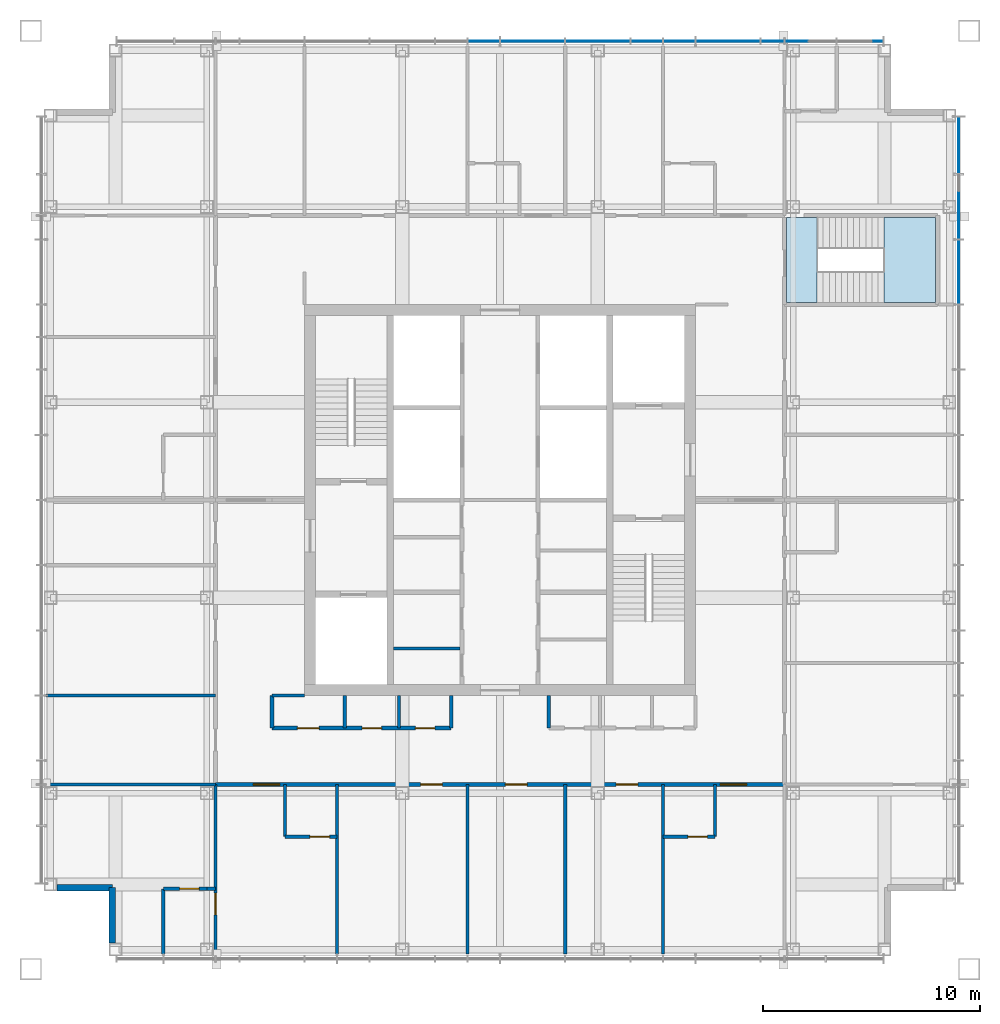
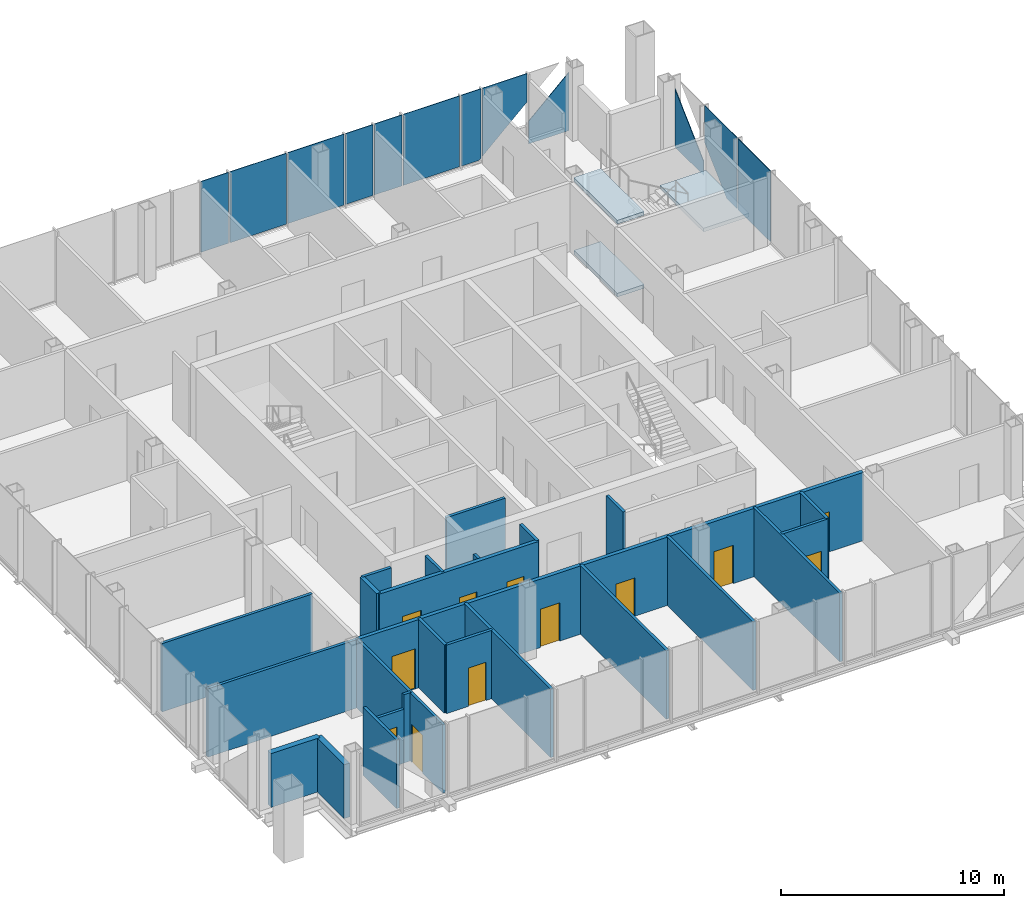
# One storey, part 7 of 11: 25 walls, 12 doors, 12 plates, 3 slabs, 12 openings, 3 elements without a shape of their own.
"""IFC4 building model written with IfcOpenShell, lengths in metres."""

from ifc_helpers import new_model, si_unit, direction, frame, frame_2d, origin, origin_2d, place, context, subcontext, project, spatial, polyline, rectangle, outline, extrude, material, layer, layer_set, type_object, element, fill, aggregate, save


model = new_model("IFC4")

# Units and contexts
model_context = context("Model", 3, precision=1e-05, world=origin(), true_north=direction((0.0, 1.0)))
body_context = subcontext(model_context, "Body", "Model", "MODEL_VIEW")
ifc_project = project(units=[si_unit("LENGTHUNIT", "METRE"), si_unit("AREAUNIT", "SQUARE_METRE"), si_unit("VOLUMEUNIT", "CUBIC_METRE"), si_unit("PLANEANGLEUNIT", "RADIAN"), si_unit("MASSUNIT", "GRAM", prefix="KILO")], contexts=[model_context])

# Site, building, storey
site_placement = place(None, origin())
site = spatial("IfcSite", under=ifc_project, at=site_placement, CompositionType="ELEMENT")
building_placement = place(site_placement, origin())
building = spatial("IfcBuilding", under=site, at=building_placement, Name="Malebo Sky Hospital", CompositionType="ELEMENT")
storey_placement = place(building_placement, frame((0.0, 0.0, 282.0)))
storey = spatial("IfcBuildingStorey", under=building, at=storey_placement, Name="L68", CompositionType="ELEMENT", Elevation=282.0)

# Stair, slabs
ifc_material_1 = material(Name="Concrete C40/50", Category="concrete")
stair_type = type_object("IfcStairType", Name="HALF-TURN STAIR 1400 R167", PredefinedType="HALF_TURN_STAIR", material=ifc_material_1)
stair_placement = place(storey_placement, origin())
stair = element("IfcStair", 1, at=stair_placement, inside=storey, type_object=stair_type, Name="Stair S3 L68 type ST1B", PredefinedType="HALF_TURN_STAIR")
ifc_layer_1 = layer(ifc_material_1, 0.199951171875)
ifc_layer_set_1 = layer_set([ifc_layer_1], Name="STAIR LANDING 200")
slab_type = type_object("IfcSlabType", Name="STAIR LANDING 200", PredefinedType="LANDING", material=ifc_layer_set_1)
slab_1_placement = place(storey_placement, frame((0.0, 0.0, -0.199951171875)))
slab_1 = element("IfcSlab", 2, at=slab_1_placement, type_object=slab_type, Name="S3 landing 1", PredefinedType="LANDING", context=body_context, shape_type="SweptSolid", body=[
    extrude(outline(polyline([(73.199951171875, 71.10009765625), (73.199951171875, 75.0), (74.60009765625, 75.0), (74.60009765625, 71.10009765625), (73.199951171875, 71.10009765625)])), origin(), (0.0, 0.0, 1.0), 0.199951171875),
])
slab_2_placement = place(storey_placement, frame((0.0, 0.0, 1.800048828125)))
slab_2 = element("IfcSlab", 3, at=slab_2_placement, type_object=slab_type, Name="S3 landing 2", PredefinedType="LANDING", context=body_context, shape_type="SweptSolid", body=[
    extrude(outline(polyline([(77.679931640625, 71.10009765625), (77.679931640625, 75.0), (80.050048828125, 75.0), (80.050048828125, 71.10009765625), (77.679931640625, 71.10009765625)])), origin(), (0.0, 0.0, 1.0), 0.199951171875),
])
slab_3_placement = place(storey_placement, frame((0.0, 0.0, 3.800048828125)))
slab_3 = element("IfcSlab", 4, at=slab_3_placement, type_object=slab_type, Name="S3 landing 3", PredefinedType="LANDING", context=body_context, shape_type="SweptSolid", body=[
    extrude(outline(polyline([(73.199951171875, 71.10009765625), (73.199951171875, 75.0), (74.60009765625, 75.0), (74.60009765625, 71.10009765625), (73.199951171875, 71.10009765625)])), origin(), (0.0, 0.0, 1.0), 0.199951171875),
])
aggregate(stair, [slab_1, slab_2, slab_3])

# Curtain wall, plates
ifc_material_2 = material(Name="Anodised aluminium, natural silver", Category="aluminium")
ifc_layer_2 = layer(ifc_material_2, 0.25)
ifc_layer_set_2 = layer_set([ifc_layer_2], Name="WARD CURTAIN WALL NORTH AND SOUTH")
curtain_wall_type_1 = type_object("IfcCurtainWallType", Name="WARD CURTAIN WALL NORTH AND SOUTH", PredefinedType="NOTDEFINED", material=ifc_layer_set_2)
curtain_wall_1_placement = place(storey_placement, origin())
curtain_wall_1 = element("IfcCurtainWall", 5, at=curtain_wall_1_placement, inside=storey, type_object=curtain_wall_type_1, Name="NS curtain wall N", PredefinedType="NOTDEFINED")
ifc_material_3 = material(Name="Clear low-iron double glazing", Category="glass")
ifc_layer_3 = layer(ifc_material_3, 0.031982421875)
ifc_layer_set_3 = layer_set([ifc_layer_3], Name="VISION PANEL CLEAR 32")
plate_type = type_object("IfcPlateType", Name="VISION PANEL CLEAR 32", PredefinedType="CURTAIN_PANEL", material=ifc_layer_set_3)
plate_1_placement = place(storey_placement, frame((59.25, 83.125, 0.10009765625), z_axis=(0.0, 0.0, 1.0), x_axis=(1.0, 0.0, 0.0)))
plate_1 = element("IfcPlate", 6, at=plate_1_placement, type_object=plate_type, Name="Panel 8", PredefinedType="CURTAIN_PANEL", context=body_context, shape_type="SweptSolid", body=[
    extrude(rectangle(XDim=1.425048828125, YDim=0.031982421875, at=origin_2d()), origin(), (0.0, 0.0, 1.0), 3.889892578125),
])
plate_2_placement = place(storey_placement, frame((61.5, 83.125, 0.10009765625), z_axis=(0.0, 0.0, 1.0), x_axis=(1.0, 0.0, 0.0)))
plate_2 = element("IfcPlate", 7, at=plate_2_placement, type_object=plate_type, Name="Panel 9", PredefinedType="CURTAIN_PANEL", context=body_context, shape_type="SweptSolid", body=[
    extrude(rectangle(XDim=2.925048828125, YDim=0.031982421875, at=origin_2d()), origin(), (0.0, 0.0, 1.0), 3.889892578125),
])
plate_3_placement = place(storey_placement, frame((64.5, 83.125, 0.10009765625), z_axis=(0.0, 0.0, 1.0), x_axis=(1.0, 0.0, 0.0)))
plate_3 = element("IfcPlate", 8, at=plate_3_placement, type_object=plate_type, Name="Panel 10", PredefinedType="CURTAIN_PANEL", context=body_context, shape_type="SweptSolid", body=[
    extrude(rectangle(XDim=2.925048828125, YDim=0.031982421875, at=origin_2d()), origin(), (0.0, 0.0, 1.0), 3.889892578125),
])
plate_4_placement = place(storey_placement, frame((66.75, 83.125, 0.10009765625), z_axis=(0.0, 0.0, 1.0), x_axis=(1.0, 0.0, 0.0)))
plate_4 = element("IfcPlate", 9, at=plate_4_placement, type_object=plate_type, Name="Panel 11", PredefinedType="CURTAIN_PANEL", context=body_context, shape_type="SweptSolid", body=[
    extrude(rectangle(XDim=1.425048828125, YDim=0.031982421875, at=origin_2d()), origin(), (0.0, 0.0, 1.0), 3.889892578125),
])
plate_5_placement = place(storey_placement, frame((68.25, 83.125, 0.10009765625), z_axis=(0.0, 0.0, 1.0), x_axis=(1.0, 0.0, 0.0)))
plate_5 = element("IfcPlate", 10, at=plate_5_placement, type_object=plate_type, Name="Panel 12", PredefinedType="CURTAIN_PANEL", context=body_context, shape_type="SweptSolid", body=[
    extrude(rectangle(XDim=1.425048828125, YDim=0.031982421875, at=origin_2d()), origin(), (0.0, 0.0, 1.0), 3.889892578125),
])
plate_6_placement = place(storey_placement, frame((70.5, 83.125, 0.10009765625), z_axis=(0.0, 0.0, 1.0), x_axis=(1.0, 0.0, 0.0)))
plate_6 = element("IfcPlate", 11, at=plate_6_placement, type_object=plate_type, Name="Panel 13", PredefinedType="CURTAIN_PANEL", context=body_context, shape_type="SweptSolid", body=[
    extrude(rectangle(XDim=2.925048828125, YDim=0.031982421875, at=origin_2d()), origin(), (0.0, 0.0, 1.0), 3.889892578125),
])
plate_7_placement = place(storey_placement, frame((72.550048828125, 83.125, 0.10009765625), z_axis=(0.0, 0.0, 1.0), x_axis=(1.0, 0.0, 0.0)))
plate_7 = element("IfcPlate", 12, at=plate_7_placement, type_object=plate_type, Name="Panel 14", PredefinedType="CURTAIN_PANEL", context=body_context, shape_type="SweptSolid", body=[
    extrude(outline(polyline([(-0.512451171875, 0.0), (0.41748046875, 0.0), (0.512451171875, 0.0888671875), (0.512451171875, 3.889892578125), (-0.512451171875, 3.889892578125), (-0.512451171875, 0.0)])), frame((0.0, 0.01611328125, 0.0), z_axis=(0.0, -1.0, 0.0), x_axis=(1.0, 0.0, 0.0)), (0.0, 0.0, 1.0), 0.031982421875),
])
plate_8_placement = place(storey_placement, frame((74.300048828125, 83.125, 0.259033203125), z_axis=(0.0, 0.0, 1.0), x_axis=(1.0, 0.0, 0.0)))
plate_8 = element("IfcPlate", 13, at=plate_8_placement, type_object=plate_type, Name="Panel 15", PredefinedType="CURTAIN_PANEL", context=body_context, shape_type="SweptSolid", body=[
    extrude(outline(polyline([(-1.16259765625, 0.0), (1.16259765625, 2.177001953125), (1.16259765625, 3.73095703125), (-1.16259765625, 3.73095703125), (-1.16259765625, 0.0)])), frame((0.0, 0.01611328125, 0.0), z_axis=(0.0, -1.0, 0.0), x_axis=(1.0, 0.0, 0.0)), (0.0, 0.0, 1.0), 0.031982421875),
])
plate_9_placement = place(storey_placement, frame((76.581298828125, 83.125, 0.10009765625), z_axis=(0.0, 0.0, 1.0), x_axis=(1.0, 0.0, 0.0)))
plate_9 = element("IfcPlate", 14, at=plate_9_placement, type_object=plate_type, Name="Panel 16", PredefinedType="CURTAIN_PANEL", context=body_context, shape_type="SweptSolid", body=[
    extrude(outline(polyline([(-1.043701171875, 0.0), (1.043701171875, 0.0), (1.043701171875, 3.195068359375), (-1.043701171875, 1.240478515625), (-1.043701171875, 0.0)])), frame((0.0, 0.01611328125, 0.0), z_axis=(0.0, -1.0, 0.0), x_axis=(1.0, 0.0, 0.0)), (0.0, 0.0, 1.0), 0.031982421875),
])
aggregate(curtain_wall_1, [plate_1, plate_2, plate_3, plate_4, plate_5, plate_6, plate_7, plate_8, plate_9])

ifc_layer_4 = layer(ifc_material_2, 0.25)
ifc_layer_set_4 = layer_set([ifc_layer_4], Name="WARD CURTAIN WALL EAST AND WEST")
curtain_wall_type_2 = type_object("IfcCurtainWallType", Name="WARD CURTAIN WALL EAST AND WEST", PredefinedType="NOTDEFINED", material=ifc_layer_set_4)
curtain_wall_2_placement = place(storey_placement, origin())
curtain_wall_2 = element("IfcCurtainWall", 15, at=curtain_wall_2_placement, inside=storey, type_object=curtain_wall_type_2, Name="EW curtain wall E", PredefinedType="NOTDEFINED")
plate_10_placement = place(storey_placement, frame((81.125, 78.331298828125, 0.10009765625), z_axis=(0.0, 0.0, 1.0), x_axis=(0.0, -1.0, 0.0)))
plate_10 = element("IfcPlate", 16, at=plate_10_placement, type_object=plate_type, Name="Panel 1", PredefinedType="CURTAIN_PANEL", context=body_context, shape_type="SweptSolid", body=[
    extrude(outline(polyline([(-1.293701171875, 0.0), (1.293701171875, 0.0), (1.293701171875, 0.772216796875), (-1.293701171875, 3.195068359375), (-1.293701171875, 0.0)])), frame((0.0, 0.01611328125, 0.0), z_axis=(0.0, -1.0, 0.0), x_axis=(1.0, 0.0, 0.0)), (0.0, 0.0, 1.0), 0.031982421875),
])
plate_11_placement = place(storey_placement, frame((81.125, 75.5, 0.10009765625), z_axis=(0.0, 0.0, 1.0), x_axis=(0.0, -1.0, 0.0)))
plate_11 = element("IfcPlate", 17, at=plate_11_placement, type_object=plate_type, Name="Panel 2", PredefinedType="CURTAIN_PANEL", context=body_context, shape_type="SweptSolid", body=[
    extrude(outline(polyline([(0.532470703125, 0.0), (1.46240234375, 0.0), (1.46240234375, 3.889892578125), (-1.46240234375, 3.889892578125), (-1.46240234375, 1.867919921875), (0.532470703125, 0.0)])), frame((0.0, 0.01611328125, 0.0), z_axis=(0.0, -1.0, 0.0), x_axis=(1.0, 0.0, 0.0)), (0.0, 0.0, 1.0), 0.031982421875),
])
plate_12_placement = place(storey_placement, frame((81.125, 72.5, 0.10009765625), z_axis=(0.0, 0.0, 1.0), x_axis=(0.0, -1.0, 0.0)))
plate_12 = element("IfcPlate", 18, at=plate_12_placement, type_object=plate_type, Name="Panel 3", PredefinedType="CURTAIN_PANEL", context=body_context, shape_type="SweptSolid", body=[
    extrude(rectangle(XDim=2.925048828125, YDim=0.031982421875, at=origin_2d()), origin(), (0.0, 0.0, 1.0), 3.889892578125),
])
aggregate(curtain_wall_2, [plate_10, plate_11, plate_12])

# Wall
ifc_material_4 = material(Name="Gypsum board on steel studs", Category="steel")
ifc_layer_5 = layer(ifc_material_4, 0.199951171875)
ifc_layer_set_5 = layer_set([ifc_layer_5], Name="CORRIDOR WALL 200")
wall_type_1 = type_object("IfcWallType", Name="CORRIDOR WALL 200", PredefinedType="PARTITIONING", material=ifc_layer_set_5)
wall_1_placement = place(storey_placement, frame((49.5, 51.5, 0.0), z_axis=(0.0, 0.0, 1.0), x_axis=(0.0, 1.0, 0.0)))
element("IfcWall", 19, at=wall_1_placement, inside=storey, type_object=wall_type_1, Name="Corridor Wall 200 WCIK", PredefinedType="PARTITIONING", context=body_context, shape_type="SweptSolid", body=[
    extrude(rectangle(XDim=1.5, YDim=0.199951171875, at=frame_2d((0.75, 0.0))), origin(), (0.0, 0.0, 1.0), 3.75),
])

# Wall, openings, doors
wall_2_placement = place(storey_placement, frame((73.10009765625, 48.89990234375, 0.0), z_axis=(0.0, 0.0, 1.0), x_axis=(-1.0, 0.0, 0.0)))
wall_2 = element("IfcWall", 20, at=wall_2_placement, inside=storey, type_object=wall_type_1, Name="Corridor Wall 200 SCO", PredefinedType="PARTITIONING", context=body_context, shape_type="SweptSolid", body=[
    extrude(rectangle(XDim=26.2001953125, YDim=0.199951171875, at=frame_2d((13.10009765625, 0.0))), origin(), (0.0, 0.0, 1.0), 3.75),
])
opening_1_placement = place(wall_2_placement, frame((1.75, 0.0, 0.0)))
opening_1 = element("IfcOpeningElement", 21, at=opening_1_placement, cuts=wall_2, Name="Opening D01", PredefinedType="OPENING", context=body_context, shape_type="SweptSolid", body=[
    extrude(rectangle(XDim=1.199951171875, YDim=2.199951171875, at=frame_2d((0.60009765625, 1.10009765625))), frame((0.0, 0.10986328125, 0.0), z_axis=(0.0, -1.0, 0.0), x_axis=(1.0, 0.0, 0.0)), (0.0, 0.0, 1.0), 0.219970703125),
])
opening_2_placement = place(wall_2_placement, frame((6.75, 0.0, 0.0)))
opening_2 = element("IfcOpeningElement", 22, at=opening_2_placement, cuts=wall_2, Name="Opening D03", PredefinedType="OPENING", context=body_context, shape_type="SweptSolid", body=[
    extrude(rectangle(XDim=1.0, YDim=2.10009765625, at=frame_2d((0.5, 1.050048828125))), frame((0.0, 0.10986328125, 0.0), z_axis=(0.0, -1.0, 0.0), x_axis=(1.0, 0.0, 0.0)), (0.0, 0.0, 1.0), 0.219970703125),
])
opening_3_placement = place(wall_2_placement, frame((11.85009765625, 0.0, 0.0)))
opening_3 = element("IfcOpeningElement", 23, at=opening_3_placement, cuts=wall_2, Name="Opening D03", PredefinedType="OPENING", context=body_context, shape_type="SweptSolid", body=[
    extrude(rectangle(XDim=1.0, YDim=2.10009765625, at=frame_2d((0.5, 1.050048828125))), frame((0.0, 0.10986328125, 0.0), z_axis=(0.0, -1.0, 0.0), x_axis=(1.0, 0.0, 0.0)), (0.0, 0.0, 1.0), 0.219970703125),
])
opening_4_placement = place(wall_2_placement, frame((15.75, 0.0, 0.0)))
opening_4 = element("IfcOpeningElement", 24, at=opening_4_placement, cuts=wall_2, Name="Opening D03", PredefinedType="OPENING", context=body_context, shape_type="SweptSolid", body=[
    extrude(rectangle(XDim=1.0, YDim=2.10009765625, at=frame_2d((0.5, 1.050048828125))), frame((0.0, 0.10986328125, 0.0), z_axis=(0.0, -1.0, 0.0), x_axis=(1.0, 0.0, 0.0)), (0.0, 0.0, 1.0), 0.219970703125),
])
opening_5_placement = place(wall_2_placement, frame((23.25, 0.0, 0.0)))
opening_5 = element("IfcOpeningElement", 25, at=opening_5_placement, cuts=wall_2, Name="Opening D01", PredefinedType="OPENING", context=body_context, shape_type="SweptSolid", body=[
    extrude(rectangle(XDim=1.199951171875, YDim=2.199951171875, at=frame_2d((0.60009765625, 1.10009765625))), frame((0.0, 0.10986328125, 0.0), z_axis=(0.0, -1.0, 0.0), x_axis=(1.0, 0.0, 0.0)), (0.0, 0.0, 1.0), 0.219970703125),
])
ifc_material_5 = material(Name="Hardwood-faced door leaf in steel frame", Category="steel")
door_type_1 = type_object("IfcDoorType", Name="BED DOOR 1200", OperationType="SINGLE_SWING_LEFT", PredefinedType="DOOR", material=ifc_material_5)
door_1_placement = place(opening_1_placement, origin())
door_1 = element("IfcDoor", 26, at=door_1_placement, inside=storey, type_object=door_type_1, Name="Single bed room door", OperationType="SINGLE_SWING_RIGHT", OverallHeight=2.199951171875, OverallWidth=1.199951171875, PredefinedType="DOOR", context=body_context, shape_type="SweptSolid", body=[
    extrude(rectangle(XDim=1.199951171875, YDim=2.199951171875, at=frame_2d((0.60009765625, 1.10009765625))), frame((0.0, 0.02490234375, 0.0), z_axis=(0.0, -1.0, 0.0), x_axis=(1.0, 0.0, 0.0)), (0.0, 0.0, 1.0), 0.050048828125),
])
fill(opening_1, door_1)
door_2_placement = place(opening_5_placement, origin())
door_2 = element("IfcDoor", 27, at=door_2_placement, inside=storey, type_object=door_type_1, Name="Family suite door", OperationType="SINGLE_SWING_LEFT", OverallHeight=2.199951171875, OverallWidth=1.199951171875, PredefinedType="DOOR", context=body_context, shape_type="SweptSolid", body=[
    extrude(rectangle(XDim=1.199951171875, YDim=2.199951171875, at=frame_2d((0.60009765625, 1.10009765625))), frame((0.0, 0.02490234375, 0.0), z_axis=(0.0, -1.0, 0.0), x_axis=(1.0, 0.0, 0.0)), (0.0, 0.0, 1.0), 0.050048828125),
])
fill(opening_5, door_2)
door_type_2 = type_object("IfcDoorType", Name="ROOM DOOR 1000", OperationType="SINGLE_SWING_LEFT", PredefinedType="DOOR", material=ifc_material_5)
door_3_placement = place(opening_2_placement, origin())
door_3 = element("IfcDoor", 28, at=door_3_placement, inside=storey, type_object=door_type_2, Name="Treatment room door", OperationType="SINGLE_SWING_LEFT", OverallHeight=2.10009765625, OverallWidth=1.0, PredefinedType="DOOR", context=body_context, shape_type="SweptSolid", body=[
    extrude(rectangle(XDim=1.0, YDim=2.10009765625, at=frame_2d((0.5, 1.050048828125))), frame((0.0, 0.02490234375, 0.0), z_axis=(0.0, -1.0, 0.0), x_axis=(1.0, 0.0, 0.0)), (0.0, 0.0, 1.0), 0.050048828125),
])
fill(opening_2, door_3)
door_4_placement = place(opening_3_placement, origin())
door_4 = element("IfcDoor", 29, at=door_4_placement, inside=storey, type_object=door_type_2, Name="Ward pantry door", OperationType="SINGLE_SWING_LEFT", OverallHeight=2.10009765625, OverallWidth=1.0, PredefinedType="DOOR", context=body_context, shape_type="SweptSolid", body=[
    extrude(rectangle(XDim=1.0, YDim=2.10009765625, at=frame_2d((0.5, 1.050048828125))), frame((0.0, 0.02490234375, 0.0), z_axis=(0.0, -1.0, 0.0), x_axis=(1.0, 0.0, 0.0)), (0.0, 0.0, 1.0), 0.050048828125),
])
fill(opening_3, door_4)
door_5_placement = place(opening_4_placement, origin())
door_5 = element("IfcDoor", 30, at=door_5_placement, inside=storey, type_object=door_type_2, Name="Dirty utility room door", OperationType="SINGLE_SWING_LEFT", OverallHeight=2.10009765625, OverallWidth=1.0, PredefinedType="DOOR", context=body_context, shape_type="SweptSolid", body=[
    extrude(rectangle(XDim=1.0, YDim=2.10009765625, at=frame_2d((0.5, 1.050048828125))), frame((0.0, 0.02490234375, 0.0), z_axis=(0.0, -1.0, 0.0), x_axis=(1.0, 0.0, 0.0)), (0.0, 0.0, 1.0), 0.050048828125),
])
fill(opening_4, door_5)

wall_3_placement = place(storey_placement, frame((57.75, 51.5, 0.0), z_axis=(0.0, 0.0, 1.0), x_axis=(-1.0, 0.0, 0.0)))
wall_3 = element("IfcWall", 31, at=wall_3_placement, inside=storey, type_object=wall_type_1, Name="Corridor Wall 200 SCI2", PredefinedType="PARTITIONING", context=body_context, shape_type="SweptSolid", body=[
    extrude(rectangle(XDim=8.25, YDim=0.199951171875, at=frame_2d((4.125, 0.0))), origin(), (0.0, 0.0, 1.0), 3.75),
])
opening_6_placement = place(wall_3_placement, frame((0.75, 0.0, 0.0)))
opening_6 = element("IfcOpeningElement", 32, at=opening_6_placement, cuts=wall_3, Name="Opening D04", PredefinedType="OPENING", context=body_context, shape_type="SweptSolid", body=[
    extrude(rectangle(XDim=0.89990234375, YDim=2.10009765625, at=frame_2d((0.449951171875, 1.050048828125))), frame((0.0, 0.10986328125, 0.0), z_axis=(0.0, -1.0, 0.0), x_axis=(1.0, 0.0, 0.0)), (0.0, 0.0, 1.0), 0.219970703125),
])
opening_7_placement = place(wall_3_placement, frame((3.199951171875, 0.0, 0.0)))
opening_7 = element("IfcOpeningElement", 33, at=opening_7_placement, cuts=wall_3, Name="Opening D04", PredefinedType="OPENING", context=body_context, shape_type="SweptSolid", body=[
    extrude(rectangle(XDim=0.89990234375, YDim=2.10009765625, at=frame_2d((0.449951171875, 1.050048828125))), frame((0.0, 0.10986328125, 0.0), z_axis=(0.0, -1.0, 0.0), x_axis=(1.0, 0.0, 0.0)), (0.0, 0.0, 1.0), 0.219970703125),
])
opening_8_placement = place(wall_3_placement, frame((6.074951171875, 0.0, 0.0)))
opening_8 = element("IfcOpeningElement", 34, at=opening_8_placement, cuts=wall_3, Name="Opening D03", PredefinedType="OPENING", context=body_context, shape_type="SweptSolid", body=[
    extrude(rectangle(XDim=1.0, YDim=2.10009765625, at=frame_2d((0.5, 1.050048828125))), frame((0.0, 0.10986328125, 0.0), z_axis=(0.0, -1.0, 0.0), x_axis=(1.0, 0.0, 0.0)), (0.0, 0.0, 1.0), 0.219970703125),
])
door_6_placement = place(opening_8_placement, origin())
door_6 = element("IfcDoor", 35, at=door_6_placement, inside=storey, type_object=door_type_2, Name="Supplies store door", OperationType="SINGLE_SWING_RIGHT", OverallHeight=2.10009765625, OverallWidth=1.0, PredefinedType="DOOR", context=body_context, shape_type="SweptSolid", body=[
    extrude(rectangle(XDim=1.0, YDim=2.10009765625, at=frame_2d((0.5, 1.050048828125))), frame((0.0, 0.02490234375, 0.0), z_axis=(0.0, -1.0, 0.0), x_axis=(1.0, 0.0, 0.0)), (0.0, 0.0, 1.0), 0.050048828125),
])
fill(opening_8, door_6)
door_type_3 = type_object("IfcDoorType", Name="ROOM DOOR 900", OperationType="SINGLE_SWING_LEFT", PredefinedType="DOOR", material=ifc_material_5)
door_7_placement = place(opening_6_placement, origin())
door_7 = element("IfcDoor", 36, at=door_7_placement, inside=storey, type_object=door_type_3, Name="Communications room door", OperationType="SINGLE_SWING_LEFT", OverallHeight=2.10009765625, OverallWidth=0.89990234375, PredefinedType="DOOR", context=body_context, shape_type="SweptSolid", body=[
    extrude(rectangle(XDim=0.89990234375, YDim=2.10009765625, at=frame_2d((0.449951171875, 1.050048828125))), frame((0.0, 0.02490234375, 0.0), z_axis=(0.0, -1.0, 0.0), x_axis=(1.0, 0.0, 0.0)), (0.0, 0.0, 1.0), 0.050048828125),
])
fill(opening_6, door_7)
door_8_placement = place(opening_7_placement, origin())
door_8 = element("IfcDoor", 37, at=door_8_placement, inside=storey, type_object=door_type_3, Name="Equipment store door", OperationType="SINGLE_SWING_LEFT", OverallHeight=2.10009765625, OverallWidth=0.89990234375, PredefinedType="DOOR", context=body_context, shape_type="SweptSolid", body=[
    extrude(rectangle(XDim=0.89990234375, YDim=2.10009765625, at=frame_2d((0.449951171875, 1.050048828125))), frame((0.0, 0.02490234375, 0.0), z_axis=(0.0, -1.0, 0.0), x_axis=(1.0, 0.0, 0.0)), (0.0, 0.0, 1.0), 0.050048828125),
])
fill(opening_7, door_8)

# Walls
ifc_material_6 = material(Name="Anodised aluminium rainscreen on steel framing", Category="steel")
ifc_layer_6 = layer(ifc_material_6, 0.300048828125)
ifc_layer_set_6 = layer_set([ifc_layer_6], Name="NOTCH RAINSCREEN WALL 300")
wall_type_2 = type_object("IfcWallType", Name="NOTCH RAINSCREEN WALL 300", PredefinedType="ELEMENTEDWALL", material=ifc_layer_set_6)
for number, where, z_axis, x_axis, name in (
    (38, (42.14990234375, 41.60009765625, 0.0), (0.0, 0.0, 1.0), (0.0, 1.0, 0.0), "Notch rainscreen wall S1 L68"),
    (39, (42.14990234375, 44.14990234375, 0.0), (0.0, 0.0, 1.0), (-1.0, 0.0, 0.0), "Notch rainscreen wall S2 L68"),
):
    element("IfcWall", number, at=place(storey_placement, frame(where, z_axis=z_axis, x_axis=x_axis)), inside=storey, type_object=wall_type_2, Name=name, PredefinedType="ELEMENTEDWALL", context=body_context, shape_type="SweptSolid", body=[
        extrude(rectangle(XDim=2.5498046875, YDim=0.300048828125, at=frame_2d((1.27490234375, 0.0))), origin(), (0.0, 0.0, 1.0), 2.949951171875),
    ])
ifc_layer_7 = layer(ifc_material_4, 0.14990234375)
ifc_layer_set_7 = layer_set([ifc_layer_7], Name="PARTITION 150")
wall_type_3 = type_object("IfcWallType", Name="PARTITION 150", PredefinedType="PARTITIONING", material=ifc_layer_set_7)
for number, where, z_axis, x_axis, name in (
    (40, (46.89990234375, 53.0, 0.0), (0.0, 0.0, 1.0), (-1.0, 0.0, 0.0), "Partition 150 WP-9.0"),
    (41, (46.89990234375, 48.89990234375, 0.0), (0.0, 0.0, 1.0), (-1.0, 0.0, 0.0), "Partition 150 WP0"),
):
    element("IfcWall", number, at=place(storey_placement, frame(where, z_axis=z_axis, x_axis=x_axis)), inside=storey, type_object=wall_type_3, Name=name, PredefinedType="PARTITIONING", context=body_context, shape_type="SweptSolid", body=[
        extrude(rectangle(XDim=7.7998046875, YDim=0.14990234375, at=frame_2d((3.89990234375, 0.0))), origin(), (0.0, 0.0, 1.0), 3.75),
    ])
wall_4_placement = place(storey_placement, frame((51.0, 53.0, 0.0), z_axis=(0.0, 0.0, 1.0), x_axis=(-1.0, 0.0, 0.0)))
element("IfcWall", 42, at=wall_4_placement, inside=storey, type_object=wall_type_3, Name="Partition 150 WSP0", PredefinedType="PARTITIONING", context=body_context, shape_type="SweptSolid", body=[
    extrude(rectangle(XDim=1.5, YDim=0.14990234375, at=frame_2d((0.75, 0.0))), origin(), (0.0, 0.0, 1.0), 3.75),
])
for number, where, z_axis, x_axis, name in (
    (43, (67.5, 48.89990234375, 0.0), (0.0, 0.0, 1.0), (0.0, -1.0, 0.0), "Partition 150 SP-7.5"),
    (44, (63.0, 48.89990234375, 0.0), (0.0, 0.0, 1.0), (0.0, -1.0, 0.0), "Partition 150 SP-3.0"),
    (45, (58.5, 48.89990234375, 0.0), (0.0, 0.0, 1.0), (0.0, -1.0, 0.0), "Partition 150 SP+1.5"),
    (46, (52.5, 48.89990234375, 0.0), (0.0, 0.0, 1.0), (0.0, -1.0, 0.0), "Partition 150 SP+7.5"),
):
    element("IfcWall", number, at=place(storey_placement, frame(where, z_axis=z_axis, x_axis=x_axis)), inside=storey, type_object=wall_type_3, Name=name, PredefinedType="PARTITIONING", context=body_context, shape_type="SweptSolid", body=[
        extrude(rectangle(XDim=7.7998046875, YDim=0.14990234375, at=frame_2d((3.89990234375, 0.0))), origin(), (0.0, 0.0, 1.0), 3.75),
    ])

# Wall, opening, door
wall_5_placement = place(storey_placement, frame((69.89990234375, 46.5, 0.0), z_axis=(0.0, 0.0, 1.0), x_axis=(-1.0, 0.0, 0.0)))
wall_5 = element("IfcWall", 47, at=wall_5_placement, inside=storey, type_object=wall_type_3, Name="Partition 150 SE0F", PredefinedType="PARTITIONING", context=body_context, shape_type="SweptSolid", body=[
    extrude(rectangle(XDim=2.39990234375, YDim=0.14990234375, at=frame_2d((1.199951171875, 0.0))), origin(), (0.0, 0.0, 1.0), 3.75),
])
opening_9_placement = place(wall_5_placement, frame((0.35009765625, 0.0, 0.0)))
opening_9 = element("IfcOpeningElement", 48, at=opening_9_placement, cuts=wall_5, Name="Opening D02", PredefinedType="OPENING", context=body_context, shape_type="SweptSolid", body=[
    extrude(rectangle(XDim=0.89990234375, YDim=2.10009765625, at=frame_2d((0.449951171875, 1.050048828125))), frame((0.0, 0.0849609375, 0.0), z_axis=(0.0, -1.0, 0.0), x_axis=(1.0, 0.0, 0.0)), (0.0, 0.0, 1.0), 0.169921875),
])
door_type_4 = type_object("IfcDoorType", Name="EN-SUITE DOOR 900", OperationType="SINGLE_SWING_LEFT", PredefinedType="DOOR", material=ifc_material_5)
door_9_placement = place(opening_9_placement, origin())
door_9 = element("IfcDoor", 49, at=door_9_placement, inside=storey, type_object=door_type_4, Name="En-suite door", OperationType="SINGLE_SWING_LEFT", OverallHeight=2.10009765625, OverallWidth=0.89990234375, PredefinedType="DOOR", context=body_context, shape_type="SweptSolid", body=[
    extrude(rectangle(XDim=0.89990234375, YDim=2.10009765625, at=frame_2d((0.449951171875, 1.050048828125))), frame((0.0, 0.02490234375, 0.0), z_axis=(0.0, -1.0, 0.0), x_axis=(1.0, 0.0, 0.0)), (0.0, 0.0, 1.0), 0.050048828125),
])
fill(opening_9, door_9)

# Wall
wall_6_placement = place(storey_placement, frame((69.89990234375, 48.89990234375, 0.0), z_axis=(0.0, 0.0, 1.0), x_axis=(0.0, -1.0, 0.0)))
element("IfcWall", 50, at=wall_6_placement, inside=storey, type_object=wall_type_3, Name="Partition 150 SE0S", PredefinedType="PARTITIONING", context=body_context, shape_type="SweptSolid", body=[
    extrude(rectangle(XDim=2.39990234375, YDim=0.14990234375, at=frame_2d((1.199951171875, 0.0))), origin(), (0.0, 0.0, 1.0), 3.75),
])

# Wall, opening, door
wall_7_placement = place(storey_placement, frame((46.89990234375, 48.89990234375, 0.0), z_axis=(0.0, 0.0, 1.0), x_axis=(0.0, -1.0, 0.0)))
wall_7 = element("IfcWall", 51, at=wall_7_placement, inside=storey, type_object=wall_type_3, Name="Partition 150 SK", PredefinedType="PARTITIONING", context=body_context, shape_type="SweptSolid", body=[
    extrude(rectangle(XDim=7.7998046875, YDim=0.14990234375, at=frame_2d((3.89990234375, 0.0))), origin(), (0.0, 0.0, 1.0), 3.75),
])
opening_10_placement = place(wall_7_placement, frame((5.0, 0.0, 0.0)))
opening_10 = element("IfcOpeningElement", 52, at=opening_10_placement, cuts=wall_7, Name="Opening D03", PredefinedType="OPENING", context=body_context, shape_type="SweptSolid", body=[
    extrude(rectangle(XDim=1.0, YDim=2.10009765625, at=frame_2d((0.5, 1.050048828125))), frame((0.0, 0.0849609375, 0.0), z_axis=(0.0, -1.0, 0.0), x_axis=(1.0, 0.0, 0.0)), (0.0, 0.0, 1.0), 0.169921875),
])
door_10_placement = place(opening_10_placement, origin())
door_10 = element("IfcDoor", 53, at=door_10_placement, inside=storey, type_object=door_type_2, Name="Family suite sitting room door", OperationType="SINGLE_SWING_LEFT", OverallHeight=2.10009765625, OverallWidth=1.0, PredefinedType="DOOR", context=body_context, shape_type="SweptSolid", body=[
    extrude(rectangle(XDim=1.0, YDim=2.10009765625, at=frame_2d((0.5, 1.050048828125))), frame((0.0, 0.02490234375, 0.0), z_axis=(0.0, -1.0, 0.0), x_axis=(1.0, 0.0, 0.0)), (0.0, 0.0, 1.0), 0.050048828125),
])
fill(opening_10, door_10)

# Wall
wall_8_placement = place(storey_placement, frame((46.89990234375, 44.10009765625, 0.0), z_axis=(0.0, 0.0, 1.0), x_axis=(-1.0, 0.0, 0.0)))
element("IfcWall", 54, at=wall_8_placement, inside=storey, type_object=wall_type_3, Name="Partition 150 SKF", PredefinedType="PARTITIONING", context=body_context, shape_type="SweptSolid", body=[
    extrude(rectangle(XDim=0.39990234375, YDim=0.14990234375, at=frame_2d((0.199951171875, 0.0))), origin(), (0.0, 0.0, 1.0), 3.75),
])

# Wall, opening, door
wall_9_placement = place(storey_placement, frame((46.5, 44.10009765625, 0.0), z_axis=(0.0, 0.0, 1.0), x_axis=(-1.0, 0.0, 0.0)))
wall_9 = element("IfcWall", 55, at=wall_9_placement, inside=storey, type_object=wall_type_3, Name="Partition 150 SKF", PredefinedType="PARTITIONING", context=body_context, shape_type="SweptSolid", body=[
    extrude(rectangle(XDim=2.0, YDim=0.14990234375, at=frame_2d((1.0, 0.0))), origin(), (0.0, 0.0, 1.0), 2.949951171875),
])
opening_11_placement = place(wall_9_placement, frame((0.35009765625, 0.0, 0.0)))
opening_11 = element("IfcOpeningElement", 56, at=opening_11_placement, cuts=wall_9, Name="Opening D02", PredefinedType="OPENING", context=body_context, shape_type="SweptSolid", body=[
    extrude(rectangle(XDim=0.89990234375, YDim=2.10009765625, at=frame_2d((0.449951171875, 1.050048828125))), frame((0.0, 0.0849609375, 0.0), z_axis=(0.0, -1.0, 0.0), x_axis=(1.0, 0.0, 0.0)), (0.0, 0.0, 1.0), 0.169921875),
])
door_11_placement = place(opening_11_placement, origin())
door_11 = element("IfcDoor", 57, at=door_11_placement, inside=storey, type_object=door_type_4, Name="Shower room door", OperationType="SINGLE_SWING_LEFT", OverallHeight=2.10009765625, OverallWidth=0.89990234375, PredefinedType="DOOR", context=body_context, shape_type="SweptSolid", body=[
    extrude(rectangle(XDim=0.89990234375, YDim=2.10009765625, at=frame_2d((0.449951171875, 1.050048828125))), frame((0.0, 0.02490234375, 0.0), z_axis=(0.0, -1.0, 0.0), x_axis=(1.0, 0.0, 0.0)), (0.0, 0.0, 1.0), 0.050048828125),
])
fill(opening_11, door_11)

# Wall
wall_10_placement = place(storey_placement, frame((44.5, 44.10009765625, 0.0), z_axis=(0.0, 0.0, 1.0), x_axis=(0.0, -1.0, 0.0)))
element("IfcWall", 58, at=wall_10_placement, inside=storey, type_object=wall_type_3, Name="Partition 150 SKS", PredefinedType="PARTITIONING", context=body_context, shape_type="SweptSolid", body=[
    extrude(rectangle(XDim=3.0, YDim=0.14990234375, at=frame_2d((1.5, 0.0))), origin(), (0.0, 0.0, 1.0), 3.75),
])

# Wall, opening, door
wall_11_placement = place(storey_placement, frame((52.5, 46.5, 0.0), z_axis=(0.0, 0.0, 1.0), x_axis=(-1.0, 0.0, 0.0)))
wall_11 = element("IfcWall", 59, at=wall_11_placement, inside=storey, type_object=wall_type_3, Name="Partition 150 SE4F", PredefinedType="PARTITIONING", context=body_context, shape_type="SweptSolid", body=[
    extrude(rectangle(XDim=2.39990234375, YDim=0.14990234375, at=frame_2d((1.199951171875, 0.0))), origin(), (0.0, 0.0, 1.0), 3.75),
])
opening_12_placement = place(wall_11_placement, frame((0.35009765625, 0.0, 0.0)))
opening_12 = element("IfcOpeningElement", 60, at=opening_12_placement, cuts=wall_11, Name="Opening D02", PredefinedType="OPENING", context=body_context, shape_type="SweptSolid", body=[
    extrude(rectangle(XDim=0.89990234375, YDim=2.10009765625, at=frame_2d((0.449951171875, 1.050048828125))), frame((0.0, 0.0849609375, 0.0), z_axis=(0.0, -1.0, 0.0), x_axis=(1.0, 0.0, 0.0)), (0.0, 0.0, 1.0), 0.169921875),
])
door_12_placement = place(opening_12_placement, origin())
door_12 = element("IfcDoor", 61, at=door_12_placement, inside=storey, type_object=door_type_4, Name="En-suite door", OperationType="SINGLE_SWING_LEFT", OverallHeight=2.10009765625, OverallWidth=0.89990234375, PredefinedType="DOOR", context=body_context, shape_type="SweptSolid", body=[
    extrude(rectangle(XDim=0.89990234375, YDim=2.10009765625, at=frame_2d((0.449951171875, 1.050048828125))), frame((0.0, 0.02490234375, 0.0), z_axis=(0.0, -1.0, 0.0), x_axis=(1.0, 0.0, 0.0)), (0.0, 0.0, 1.0), 0.050048828125),
])
fill(opening_12, door_12)

# Walls
wall_12_placement = place(storey_placement, frame((50.10009765625, 48.89990234375, 0.0), z_axis=(0.0, 0.0, 1.0), x_axis=(0.0, -1.0, 0.0)))
element("IfcWall", 62, at=wall_12_placement, inside=storey, type_object=wall_type_3, Name="Partition 150 SE4S", PredefinedType="PARTITIONING", context=body_context, shape_type="SweptSolid", body=[
    extrude(rectangle(XDim=2.39990234375, YDim=0.14990234375, at=frame_2d((1.199951171875, 0.0))), origin(), (0.0, 0.0, 1.0), 3.75),
])
for number, where, z_axis, x_axis, name in (
    (63, (62.25, 53.0, 0.0), (0.0, 0.0, 1.0), (0.0, -1.0, 0.0), "Partition 150 SSPA"),
    (64, (57.75, 53.0, 0.0), (0.0, 0.0, 1.0), (0.0, -1.0, 0.0), "Partition 150 SSPB"),
):
    element("IfcWall", number, at=place(storey_placement, frame(where, z_axis=z_axis, x_axis=x_axis)), inside=storey, type_object=wall_type_3, Name=name, PredefinedType="PARTITIONING", context=body_context, shape_type="SweptSolid", body=[
        extrude(rectangle(XDim=1.5, YDim=0.14990234375, at=frame_2d((0.75, 0.0))), origin(), (0.0, 0.0, 1.0), 3.75),
    ])
wall_13_placement = place(storey_placement, frame((55.35009765625, 53.0, 0.0), z_axis=(0.0, 0.0, 1.0), x_axis=(0.0, -1.0, 0.0)))
element("IfcWall", 65, at=wall_13_placement, inside=storey, type_object=wall_type_3, Name="Partition 150 SSP+4.7", PredefinedType="PARTITIONING", context=body_context, shape_type="SweptSolid", body=[
    extrude(rectangle(XDim=1.5, YDim=0.14990234375, at=frame_2d((0.75, 0.0))), origin(), (0.0, 0.0, 1.0), 2.949951171875),
])
wall_14_placement = place(storey_placement, frame((52.85009765625, 53.0, 0.0), z_axis=(0.0, 0.0, 1.0), x_axis=(0.0, -1.0, 0.0)))
element("IfcWall", 66, at=wall_14_placement, inside=storey, type_object=wall_type_3, Name="Partition 150 SSP+7.2", PredefinedType="PARTITIONING", context=body_context, shape_type="SweptSolid", body=[
    extrude(rectangle(XDim=1.5, YDim=0.14990234375, at=frame_2d((0.75, 0.0))), origin(), (0.0, 0.0, 1.0), 3.75),
])
wall_15_placement = place(storey_placement, frame((55.10009765625, 55.159912109375, 0.0), z_axis=(0.0, 0.0, 1.0), x_axis=(1.0, 0.0, 0.0)))
element("IfcWall", 67, at=wall_15_placement, inside=storey, type_object=wall_type_3, Name="Partition 150 SHW1", PredefinedType="PARTITIONING", context=body_context, shape_type="SweptSolid", body=[
    extrude(rectangle(XDim=3.0498046875, YDim=0.14990234375, at=frame_2d((1.52490234375, 0.0))), origin(), (0.0, 0.0, 1.0), 3.75),
])

save(model, "model.ifc")
